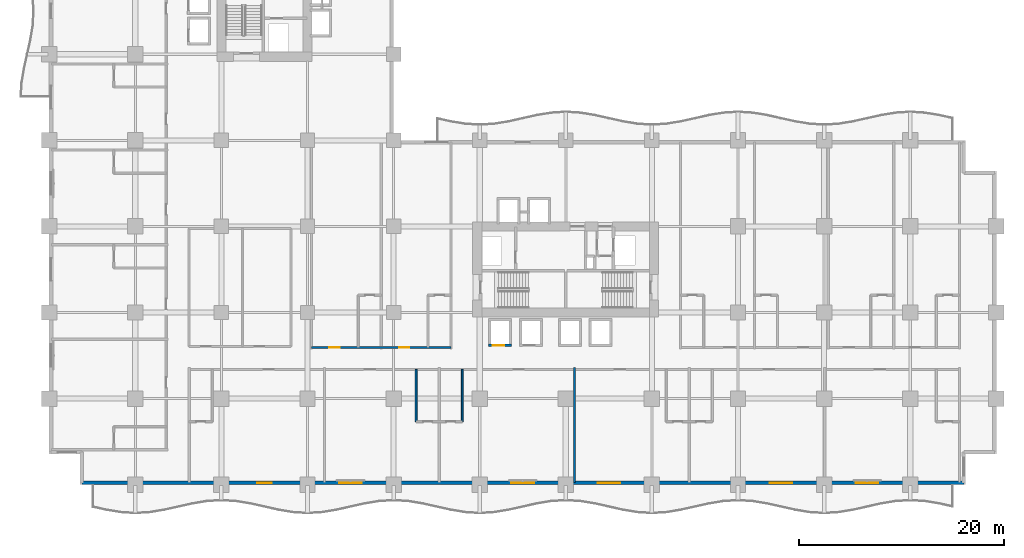
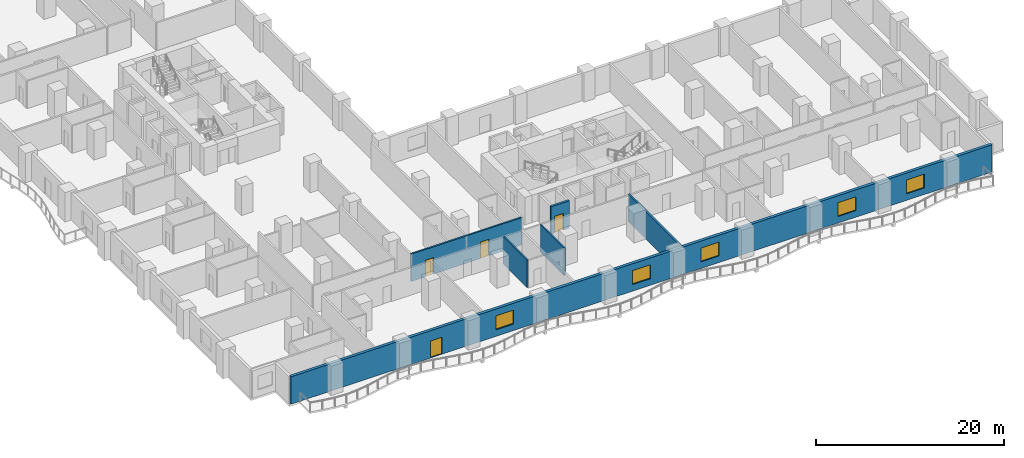
# One storey, part 8 of 24: 6 walls, 5 windows, 4 doors, 9 openings.
"""IFC4 building model written with IfcOpenShell, lengths in metres."""

from ifc_helpers import new_model, si_unit, direction, frame, frame_2d, origin, place, context, subcontext, project, spatial, rectangle, extrude, material, layer, layer_set, type_object, element, fill, save


model = new_model("IFC4")

# Units and contexts
model_context = context("Model", 3, precision=1e-05, world=origin(), true_north=direction((0.0, 1.0)))
body_context = subcontext(model_context, "Body", "Model", "MODEL_VIEW")
ifc_project = project(units=[si_unit("LENGTHUNIT", "METRE"), si_unit("AREAUNIT", "SQUARE_METRE"), si_unit("VOLUMEUNIT", "CUBIC_METRE"), si_unit("PLANEANGLEUNIT", "RADIAN"), si_unit("MASSUNIT", "GRAM", prefix="KILO")], contexts=[model_context])

# Site, building, storey
site_placement = place(None, origin())
site = spatial("IfcSite", under=ifc_project, at=site_placement, CompositionType="ELEMENT")
building_placement = place(site_placement, origin())
building = spatial("IfcBuilding", under=site, at=building_placement, Name="Koriwani Terraces Tower", CompositionType="ELEMENT")
storey_placement = place(building_placement, frame((0.0, 0.0, 47.199951171875)))
storey = spatial("IfcBuildingStorey", under=building, at=storey_placement, Name="L10", CompositionType="ELEMENT", Elevation=47.199951171875)

# Wall, openings, doors
ifc_material_1 = material(Name="Autoclaved Cellular Concrete Blockwork", Category="masonry")
ifc_layer_1 = layer(ifc_material_1, 0.199951171875, Name="Autoclaved Cellular Concrete Blockwork")
ifc_layer_set_1 = layer_set([ifc_layer_1], Name="Autoclaved Cellular Concrete Blockwork")
wall_type_1 = type_object("IfcWallType", Name="WALL_CORRIDOR_200", PredefinedType="PARTITIONING", material=ifc_layer_set_1)
wall_1_placement = place(storey_placement, frame((25.60009765625, 13.39990234375, 0.0), z_axis=(0.0, 0.0, 1.0), x_axis=(1.0, 0.0, 0.0)))
wall_1 = element("IfcWall", 1, at=wall_1_placement, inside=storey, type_object=wall_type_1, Name="L10 Interior Wall WCOR-L10-SWI-0", PredefinedType="PARTITIONING", context=body_context, shape_type="SweptSolid", body=[
    extrude(rectangle(XDim=13.599853515625, YDim=0.199951171875, at=frame_2d((6.7998046875, 0.0))), origin(), (0.0, 0.0, 1.0), 3.550048828125),
])
opening_1_placement = place(wall_1_placement, frame((1.735107421875, 0.0, 0.0)))
opening_1 = element("IfcOpeningElement", 2, at=opening_1_placement, cuts=wall_1, Name="Opening D-05", PredefinedType="OPENING", context=body_context, shape_type="SweptSolid", body=[
    extrude(rectangle(XDim=1.0, YDim=2.14990234375, at=frame_2d((0.5, 1.074951171875))), frame((0.0, 0.10986328125, 0.0), z_axis=(0.0, -1.0, 0.0), x_axis=(1.0, 0.0, 0.0)), (0.0, 0.0, 1.0), 0.219970703125),
])
opening_2_placement = place(wall_1_placement, frame((8.534912109375, 0.0, 0.0)))
opening_2 = element("IfcOpeningElement", 3, at=opening_2_placement, cuts=wall_1, Name="Opening D-05", PredefinedType="OPENING", context=body_context, shape_type="SweptSolid", body=[
    extrude(rectangle(XDim=1.0, YDim=2.14990234375, at=frame_2d((0.5, 1.074951171875))), frame((0.0, 0.10986328125, 0.0), z_axis=(0.0, -1.0, 0.0), x_axis=(1.0, 0.0, 0.0)), (0.0, 0.0, 1.0), 0.219970703125),
])
ifc_material_2 = material(Name="Architectural Oak Fire Door", Category="wood")
door_type_1 = type_object("IfcDoorType", Name="DOOR_SUITE_ENTRY_1000X2150", OperationType="NOTDEFINED", PredefinedType="DOOR", material=ifc_material_2)
door_1_placement = place(opening_1_placement, origin())
door_1 = element("IfcDoor", 4, at=door_1_placement, inside=storey, type_object=door_type_1, Name="Luxury Hotel Suite 10SWI1 Entrance Door", OperationType="SINGLE_SWING_RIGHT", OverallHeight=2.14990234375, OverallWidth=1.0, PredefinedType="DOOR", context=body_context, shape_type="SweptSolid", body=[
    extrude(rectangle(XDim=1.0, YDim=2.14990234375, at=frame_2d((0.5, 1.074951171875))), frame((0.0, 0.02490234375, 0.0), z_axis=(0.0, -1.0, 0.0), x_axis=(1.0, 0.0, 0.0)), (0.0, 0.0, 1.0), 0.050048828125),
])
fill(opening_1, door_1)
door_2_placement = place(opening_2_placement, origin())
door_2 = element("IfcDoor", 5, at=door_2_placement, inside=storey, type_object=door_type_1, Name="Luxury Hotel Suite 10SWI2 Entrance Door", OperationType="SINGLE_SWING_RIGHT", OverallHeight=2.14990234375, OverallWidth=1.0, PredefinedType="DOOR", context=body_context, shape_type="SweptSolid", body=[
    extrude(rectangle(XDim=1.0, YDim=2.14990234375, at=frame_2d((0.5, 1.074951171875))), frame((0.0, 0.02490234375, 0.0), z_axis=(0.0, -1.0, 0.0), x_axis=(1.0, 0.0, 0.0)), (0.0, 0.0, 1.0), 0.050048828125),
])
fill(opening_2, door_2)

# Wall
ifc_layer_2 = layer(ifc_material_1, 0.219970703125, Name="Autoclaved Cellular Concrete Blockwork")
ifc_layer_set_2 = layer_set([ifc_layer_2], Name="Autoclaved Cellular Concrete Blockwork")
wall_type_2 = type_object("IfcWallType", Name="WALL_DEMISING_220", PredefinedType="PARTITIONING", material=ifc_layer_set_2)
wall_2_placement = place(storey_placement, frame((51.25, 0.199951171875, 0.0), z_axis=(0.0, 0.0, 1.0), x_axis=(0.0, 1.0, 0.0)))
element("IfcWall", 6, at=wall_2_placement, inside=storey, type_object=wall_type_2, Name="L10 Interior Wall WDEM-L10-SW-3", PredefinedType="PARTITIONING", context=body_context, shape_type="SweptSolid", body=[
    extrude(rectangle(XDim=11.22998046875, YDim=0.219970703125, at=frame_2d((5.614990234375, 0.0))), origin(), (0.0, 0.0, 1.0), 3.550048828125),
])

# Wall, openings, door, windows
ifc_material_3 = material(Name="Concrete C50/60", Category="concrete")
ifc_layer_3 = layer(ifc_material_3, 0.35009765625, Name="Concrete C50/60")
ifc_layer_set_3 = layer_set([ifc_layer_3], Name="Concrete C50/60")
wall_type_3 = type_object("IfcWallType", Name="WALL_EXT_BRUTALIST_350", PredefinedType="STANDARD", material=ifc_layer_set_3)
wall_3_placement = place(storey_placement, frame((89.22509765625, 0.175048828125, 0.0), z_axis=(0.0, 0.0, 1.0), x_axis=(-1.0, 0.0, 0.0)))
wall_3 = element("IfcWall", 7, at=wall_3_placement, inside=storey, type_object=wall_type_3, Name="L10 Fair-Faced Brutalist Exterior Wall (S)", PredefinedType="STANDARD", context=body_context, shape_type="SweptSolid", body=[
    extrude(rectangle(XDim=86.050048828125, YDim=0.35009765625, at=frame_2d((43.02490234375, 0.0))), origin(), (0.0, 0.0, 1.0), 3.550048828125),
])
opening_3_placement = place(wall_3_placement, frame((67.52490234375, 0.0, 0.0)))
opening_3 = element("IfcOpeningElement", 8, at=opening_3_placement, cuts=wall_3, Name="Opening D-09", PredefinedType="OPENING", context=body_context, shape_type="SweptSolid", body=[
    extrude(rectangle(XDim=1.39990234375, YDim=2.199951171875, at=frame_2d((0.699951171875, 1.10009765625))), frame((0.0, 0.18505859375, 0.0), z_axis=(0.0, -1.0, 0.0), x_axis=(1.0, 0.0, 0.0)), (0.0, 0.0, 1.0), 0.3701171875),
])
opening_4_placement = place(wall_3_placement, frame((58.72509765625, 0.0, 0.85009765625)))
opening_4 = element("IfcOpeningElement", 9, at=opening_4_placement, cuts=wall_3, Name="Opening W-01", PredefinedType="OPENING", context=body_context, shape_type="SweptSolid", body=[
    extrude(rectangle(XDim=2.199951171875, YDim=1.800048828125, at=frame_2d((1.10009765625, 0.89990234375))), frame((0.0, 0.18505859375, 0.0), z_axis=(0.0, -1.0, 0.0), x_axis=(1.0, 0.0, 0.0)), (0.0, 0.0, 1.0), 0.3701171875),
])
opening_5_placement = place(wall_3_placement, frame((41.925048828125, 0.0, 0.85009765625)))
opening_5 = element("IfcOpeningElement", 10, at=opening_5_placement, cuts=wall_3, Name="Opening W-01", PredefinedType="OPENING", context=body_context, shape_type="SweptSolid", body=[
    extrude(rectangle(XDim=2.199951171875, YDim=1.800048828125, at=frame_2d((1.10009765625, 0.89990234375))), frame((0.0, 0.18505859375, 0.0), z_axis=(0.0, -1.0, 0.0), x_axis=(1.0, 0.0, 0.0)), (0.0, 0.0, 1.0), 0.3701171875),
])
opening_6_placement = place(wall_3_placement, frame((33.52490234375, 0.0, 0.85009765625)))
opening_6 = element("IfcOpeningElement", 11, at=opening_6_placement, cuts=wall_3, Name="Opening W-01", PredefinedType="OPENING", context=body_context, shape_type="SweptSolid", body=[
    extrude(rectangle(XDim=2.199951171875, YDim=1.800048828125, at=frame_2d((1.10009765625, 0.89990234375))), frame((0.0, 0.18505859375, 0.0), z_axis=(0.0, -1.0, 0.0), x_axis=(1.0, 0.0, 0.0)), (0.0, 0.0, 1.0), 0.3701171875),
])
opening_7_placement = place(wall_3_placement, frame((16.72509765625, 0.0, 0.85009765625)))
opening_7 = element("IfcOpeningElement", 12, at=opening_7_placement, cuts=wall_3, Name="Opening W-01", PredefinedType="OPENING", context=body_context, shape_type="SweptSolid", body=[
    extrude(rectangle(XDim=2.199951171875, YDim=1.800048828125, at=frame_2d((1.10009765625, 0.89990234375))), frame((0.0, 0.18505859375, 0.0), z_axis=(0.0, -1.0, 0.0), x_axis=(1.0, 0.0, 0.0)), (0.0, 0.0, 1.0), 0.3701171875),
])
opening_8_placement = place(wall_3_placement, frame((8.324951171875, 0.0, 0.85009765625)))
opening_8 = element("IfcOpeningElement", 13, at=opening_8_placement, cuts=wall_3, Name="Opening W-01", PredefinedType="OPENING", context=body_context, shape_type="SweptSolid", body=[
    extrude(rectangle(XDim=2.199951171875, YDim=1.800048828125, at=frame_2d((1.10009765625, 0.89990234375))), frame((0.0, 0.18505859375, 0.0), z_axis=(0.0, -1.0, 0.0), x_axis=(1.0, 0.0, 0.0)), (0.0, 0.0, 1.0), 0.3701171875),
])
ifc_material_4 = material(Name="Anodised Bronze Aluminium", Category="aluminium")
door_type_2 = type_object("IfcDoorType", Name="DOOR_BALCONY_GLAZED_1400X2200", OperationType="NOTDEFINED", PredefinedType="DOOR", material=ifc_material_4)
door_3_placement = place(opening_3_placement, origin())
door_3 = element("IfcDoor", 14, at=door_3_placement, inside=storey, type_object=door_type_2, Name="L10 South Balcony Glazed Door", OperationType="SINGLE_SWING_LEFT", OverallHeight=2.199951171875, OverallWidth=1.39990234375, PredefinedType="DOOR", context=body_context, shape_type="SweptSolid", body=[
    extrude(rectangle(XDim=1.39990234375, YDim=2.199951171875, at=frame_2d((0.699951171875, 1.10009765625))), frame((0.0, 0.02490234375, 0.0), z_axis=(0.0, -1.0, 0.0), x_axis=(1.0, 0.0, 0.0)), (0.0, 0.0, 1.0), 0.050048828125),
])
fill(opening_3, door_3)
ifc_material_5 = material(Name="Tempered Laminated Low-E Glass", Category="glass")
window_type = type_object("IfcWindowType", Name="WIN_HOTEL_STD_2200X1800", PartitioningType="DOUBLE_PANEL_VERTICAL", PredefinedType="WINDOW", material=ifc_material_5)
window_1_placement = place(opening_4_placement, origin())
window_1 = element("IfcWindow", 15, at=window_1_placement, inside=storey, type_object=window_type, Name="L10 Exterior Window (S-9)", OverallHeight=1.800048828125, OverallWidth=2.199951171875, PartitioningType="SINGLE_PANEL", PredefinedType="WINDOW", context=body_context, shape_type="SweptSolid", body=[
    extrude(rectangle(XDim=2.199951171875, YDim=1.800048828125, at=frame_2d((1.10009765625, 0.89990234375))), frame((0.0, 0.030029296875, 0.0), z_axis=(0.0, -1.0, 0.0), x_axis=(1.0, 0.0, 0.0)), (0.0, 0.0, 1.0), 0.06005859375),
])
fill(opening_4, window_1)
window_2_placement = place(opening_5_placement, origin())
window_2 = element("IfcWindow", 16, at=window_2_placement, inside=storey, type_object=window_type, Name="L10 Exterior Window (S-15)", OverallHeight=1.800048828125, OverallWidth=2.199951171875, PartitioningType="SINGLE_PANEL", PredefinedType="WINDOW", context=body_context, shape_type="SweptSolid", body=[
    extrude(rectangle(XDim=2.199951171875, YDim=1.800048828125, at=frame_2d((1.10009765625, 0.89990234375))), frame((0.0, 0.030029296875, 0.0), z_axis=(0.0, -1.0, 0.0), x_axis=(1.0, 0.0, 0.0)), (0.0, 0.0, 1.0), 0.06005859375),
])
fill(opening_5, window_2)
window_3_placement = place(opening_6_placement, origin())
window_3 = element("IfcWindow", 17, at=window_3_placement, inside=storey, type_object=window_type, Name="L10 Exterior Window (S-18)", OverallHeight=1.800048828125, OverallWidth=2.199951171875, PartitioningType="SINGLE_PANEL", PredefinedType="WINDOW", context=body_context, shape_type="SweptSolid", body=[
    extrude(rectangle(XDim=2.199951171875, YDim=1.800048828125, at=frame_2d((1.10009765625, 0.89990234375))), frame((0.0, 0.030029296875, 0.0), z_axis=(0.0, -1.0, 0.0), x_axis=(1.0, 0.0, 0.0)), (0.0, 0.0, 1.0), 0.06005859375),
])
fill(opening_6, window_3)
window_4_placement = place(opening_7_placement, origin())
window_4 = element("IfcWindow", 18, at=window_4_placement, inside=storey, type_object=window_type, Name="L10 Exterior Window (S-24)", OverallHeight=1.800048828125, OverallWidth=2.199951171875, PartitioningType="SINGLE_PANEL", PredefinedType="WINDOW", context=body_context, shape_type="SweptSolid", body=[
    extrude(rectangle(XDim=2.199951171875, YDim=1.800048828125, at=frame_2d((1.10009765625, 0.89990234375))), frame((0.0, 0.030029296875, 0.0), z_axis=(0.0, -1.0, 0.0), x_axis=(1.0, 0.0, 0.0)), (0.0, 0.0, 1.0), 0.06005859375),
])
fill(opening_7, window_4)
window_5_placement = place(opening_8_placement, origin())
window_5 = element("IfcWindow", 19, at=window_5_placement, inside=storey, type_object=window_type, Name="L10 Exterior Window (S-27)", OverallHeight=1.800048828125, OverallWidth=2.199951171875, PartitioningType="SINGLE_PANEL", PredefinedType="WINDOW", context=body_context, shape_type="SweptSolid", body=[
    extrude(rectangle(XDim=2.199951171875, YDim=1.800048828125, at=frame_2d((1.10009765625, 0.89990234375))), frame((0.0, 0.030029296875, 0.0), z_axis=(0.0, -1.0, 0.0), x_axis=(1.0, 0.0, 0.0)), (0.0, 0.0, 1.0), 0.06005859375),
])
fill(opening_8, window_5)

# Walls
ifc_material_6 = material(Name="Fire-Rated Acoustic Gypsum Partition", Category="masonry")
ifc_layer_4 = layer(ifc_material_6, 0.179931640625, Name="Fire-Rated Acoustic Gypsum Partition")
ifc_layer_set_4 = layer_set([ifc_layer_4], Name="Fire-Rated Acoustic Gypsum Partition")
wall_type_4 = type_object("IfcWallType", Name="WALL_PLUMBING_180", PredefinedType="PLUMBINGWALL", material=ifc_layer_set_4)
for number, where, z_axis, x_axis, name in (
    (20, (35.800048828125, 6.14990234375, 0.0), (0.0, 0.0, 1.0), (0.0, 1.0, 0.0), "L10 Interior Wall WBTH2-L10-SW-1"),
    (21, (40.300048828125, 6.14990234375, 0.0), (0.0, 0.0, 1.0), (0.0, 1.0, 0.0), "L10 Interior Wall WBTH2-L10-SW-2"),
):
    element("IfcWall", number, at=place(storey_placement, frame(where, z_axis=z_axis, x_axis=x_axis)), inside=storey, type_object=wall_type_4, Name=name, PredefinedType="PLUMBINGWALL", context=body_context, shape_type="SweptSolid", body=[
        extrude(rectangle(XDim=5.10009765625, YDim=0.179931640625, at=frame_2d((2.550048828125, 0.0))), origin(), (0.0, 0.0, 1.0), 3.550048828125),
    ])

# Wall, opening, door
ifc_material_7 = material(Name="Concrete C40/50", Category="concrete")
ifc_layer_5 = layer(ifc_material_7, 0.25, Name="Concrete C40/50")
ifc_layer_set_5 = layer_set([ifc_layer_5], Name="Concrete C40/50")
wall_type_5 = type_object("IfcWallType", Name="WALL_SHAFT_RATED_250", PredefinedType="SOLIDWALL", material=ifc_layer_set_5)
wall_4_placement = place(storey_placement, frame((42.875, 13.60009765625, 0.0), z_axis=(0.0, 0.0, 1.0), x_axis=(1.0, 0.0, 0.0)))
wall_4 = element("IfcWall", 22, at=wall_4_placement, inside=storey, type_object=wall_type_5, Name="L10 Interior Wall WIN-LF-PE-L3-L10-F", PredefinedType="SOLIDWALL", context=body_context, shape_type="SweptSolid", body=[
    extrude(rectangle(XDim=2.25, YDim=0.25, at=frame_2d((1.125, 0.0))), origin(), (0.0, 0.0, 1.0), 3.550048828125),
])
opening_9_placement = place(wall_4_placement, frame((0.39990234375, 0.0, 0.0)))
opening_9 = element("IfcOpeningElement", 23, at=opening_9_placement, cuts=wall_4, Name="Opening LD-01", PredefinedType="OPENING", context=body_context, shape_type="SweptSolid", body=[
    extrude(rectangle(XDim=1.10009765625, YDim=2.14990234375, at=frame_2d((0.550048828125, 1.074951171875))), frame((0.0, 0.135009765625, 0.0), z_axis=(0.0, -1.0, 0.0), x_axis=(1.0, 0.0, 0.0)), (0.0, 0.0, 1.0), 0.27001953125),
])
ifc_material_8 = material(Name="Steel ASTM A572 Grade 50", Category="steel")
door_type_3 = type_object("IfcDoorType", Name="DOOR_LIFT_LANDING_1100X2200", OperationType="NOTDEFINED", PredefinedType="DOOR", material=ifc_material_8)
door_4_placement = place(opening_9_placement, origin())
door_4 = element("IfcDoor", 24, at=door_4_placement, inside=storey, type_object=door_type_3, Name="L10 Passenger Lift PE-L3 Landing Door", OperationType="SLIDING_TO_LEFT", OverallHeight=2.14990234375, OverallWidth=1.10009765625, PredefinedType="DOOR", context=body_context, shape_type="SweptSolid", body=[
    extrude(rectangle(XDim=1.10009765625, YDim=2.14990234375, at=frame_2d((0.550048828125, 1.074951171875))), frame((0.0, 0.02490234375, 0.0), z_axis=(0.0, -1.0, 0.0), x_axis=(1.0, 0.0, 0.0)), (0.0, 0.0, 1.0), 0.050048828125),
])
fill(opening_9, door_4)

save(model, "model.ifc")
